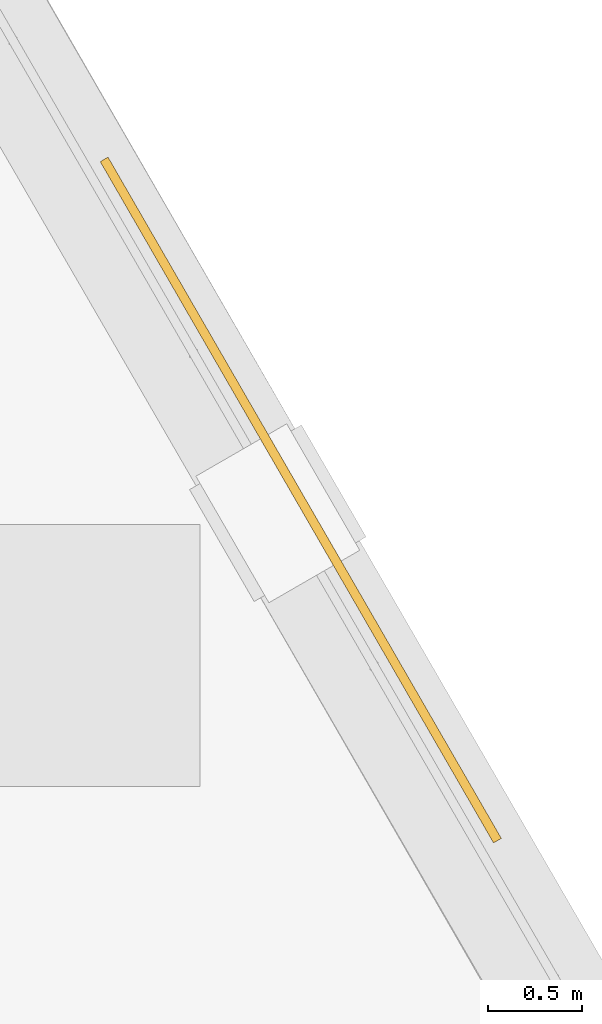
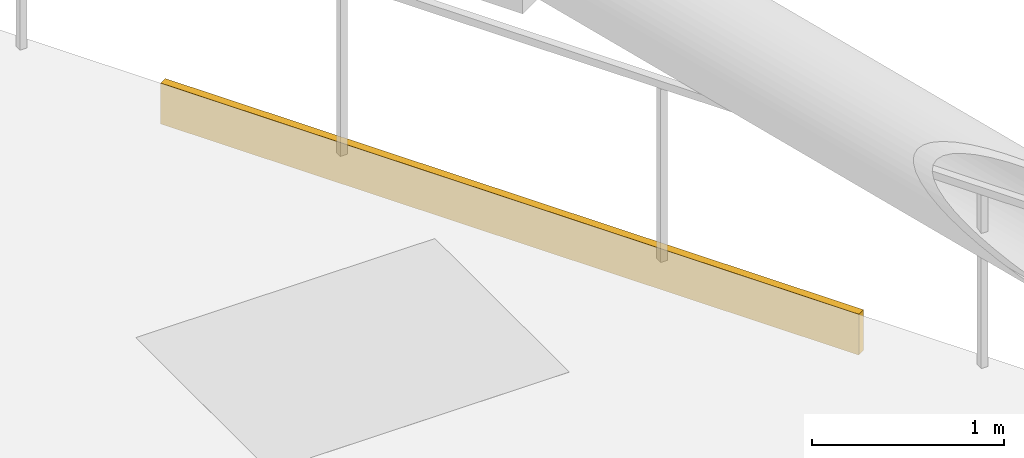
# One storey, part 20 of 20: 1 covering.
"""IFC4 building model written with IfcOpenShell, lengths in metres."""

from ifc_helpers import new_model, si_unit, direction, frame, origin, origin_2d, place, context, subcontext, project, spatial, rectangle, extrude, material, layer, layer_set, type_object, element, save


model = new_model("IFC4")

# Units and contexts
model_context = context("Model", 3, precision=1e-05, world=origin(), true_north=direction((0.0, 1.0)))
body_context = subcontext(model_context, "Body", "Model", "MODEL_VIEW")
ifc_project = project(units=[si_unit("LENGTHUNIT", "METRE"), si_unit("AREAUNIT", "SQUARE_METRE"), si_unit("VOLUMEUNIT", "CUBIC_METRE"), si_unit("PLANEANGLEUNIT", "RADIAN"), si_unit("MASSUNIT", "GRAM", prefix="KILO")], contexts=[model_context])

# Site, building, storey
site_placement = place(None, origin())
site = spatial("IfcSite", under=ifc_project, at=site_placement, CompositionType="ELEMENT")
building_placement = place(site_placement, origin())
building = spatial("IfcBuilding", under=site, at=building_placement, Name="Zuhravey Tower", CompositionType="ELEMENT")
storey_placement = place(building_placement, frame((0.0, 0.0, 226.39990234375)))
storey = spatial("IfcBuildingStorey", under=building, at=storey_placement, Name="L57", CompositionType="ELEMENT", Elevation=226.39990234375)

# Covering
ifc_material = material(Name="Architectural GRC cladding panel")
ifc_layer = layer(ifc_material, 0.048095703125)
ifc_layer_set = layer_set([ifc_layer], Name="Architectural GRC cladding panel")
covering_type = type_object("IfcCoveringType", Name="Precast Girih Spandrel Cladding CLD2", PredefinedType="CLADDING", material=ifc_layer_set)
covering_placement = place(storey_placement, frame((60.7490234375, 46.288818359375, -0.259765625), z_axis=(0.0, 0.0, 1.0), x_axis=(0.5, -0.866025403784, 0.0)))
element("IfcCovering", 1, at=covering_placement, inside=storey, type_object=covering_type, Name="L57 Face 1 Girih Spandrel Cladding CLD2", PredefinedType="CLADDING", context=body_context, shape_type="SweptSolid", body=[
    extrude(rectangle(XDim=4.199951171875, YDim=0.048095703125, at=origin_2d()), origin(), (0.0, 0.0, 1.0), 0.260009765625),
])

save(model, "model.ifc")
